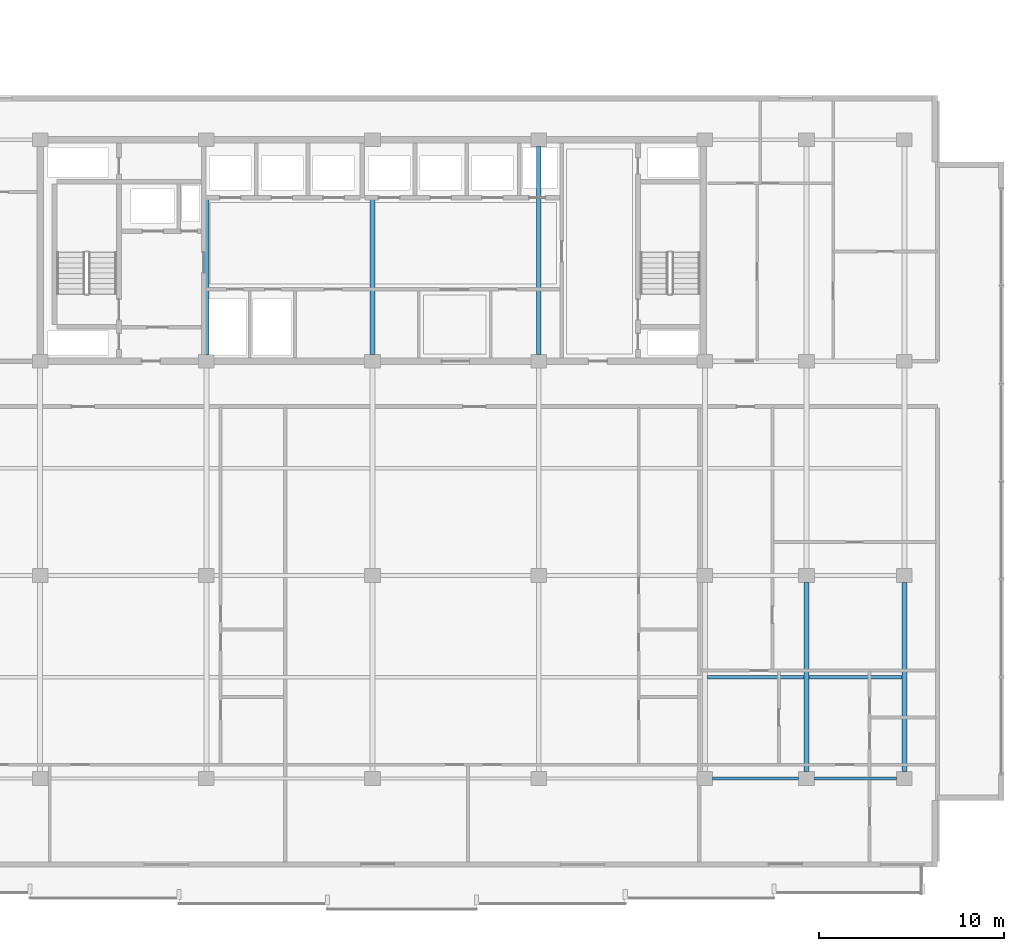
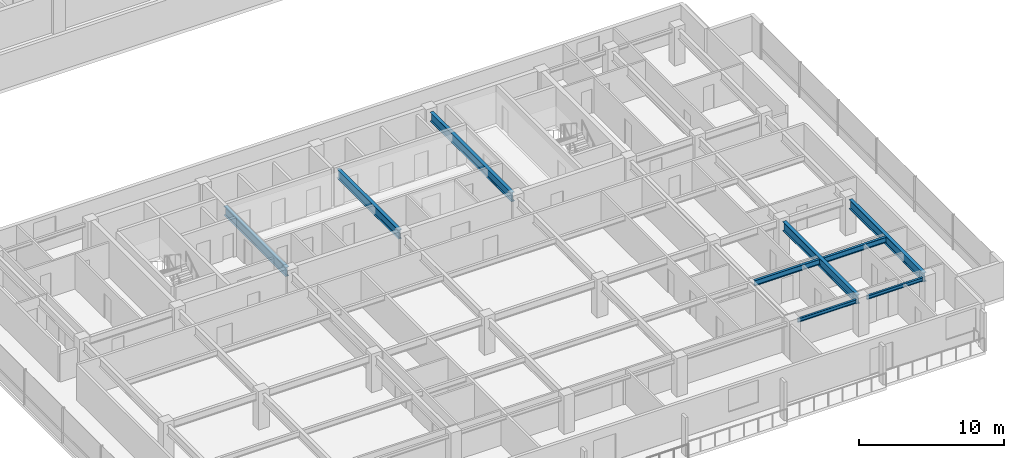
# One storey, part 6 of 38: 9 beams.
"""IFC4 building model written with IfcOpenShell, lengths in metres."""

from ifc_helpers import new_model, si_unit, direction, frame, origin, origin_2d, place, context, subcontext, project, spatial, i_section, extrude, material, material_profile, profile_set, type_object, element, save


model = new_model("IFC4")

# Units and contexts
model_context = context("Model", 3, precision=1e-05, world=origin(), true_north=direction((0.0, 1.0)))
body_context = subcontext(model_context, "Body", "Model", "MODEL_VIEW")
ifc_project = project(units=[si_unit("LENGTHUNIT", "METRE"), si_unit("AREAUNIT", "SQUARE_METRE"), si_unit("VOLUMEUNIT", "CUBIC_METRE"), si_unit("PLANEANGLEUNIT", "RADIAN"), si_unit("MASSUNIT", "GRAM", prefix="KILO")], contexts=[model_context])

# Site, building, storey
site_placement = place(None, origin())
site = spatial("IfcSite", under=ifc_project, at=site_placement, CompositionType="ELEMENT")
building_placement = place(site_placement, origin())
building = spatial("IfcBuilding", under=site, at=building_placement, Name="Korimba Cascade Residences", CompositionType="ELEMENT")
storey_placement = place(building_placement, frame((0.0, 0.0, 93.800048828125)))
storey = spatial("IfcBuildingStorey", under=building, at=storey_placement, Name="L26", CompositionType="ELEMENT", Elevation=93.800048828125)

# Beams
ifc_material = material(Name="Steel S355", Category="steel")
ifc_material_profile_1 = material_profile(ifc_material, i_section(OverallWidth=0.165771484375, OverallDepth=0.306640625, WebThickness=0.006591796875, FlangeThickness=0.01171875, FilletRadius=0.0087890625, at=origin_2d()), Name="Steel S355")
ifc_profile_set_1 = profile_set([ifc_material_profile_1], Name="Steel S355")
beam_type_1 = type_object("IfcBeamType", Name="BM-STL-UB305", PredefinedType="SPANDREL", material=ifc_profile_set_1)
beam_1_placement = place(storey_placement, frame((118.52490234375, -4.199951171875, 2.816650390625), z_axis=(1.0, 0.0, 0.0), x_axis=(0.0, 1.0, 0.0)))
element("IfcBeam", 1, at=beam_1_placement, inside=storey, type_object=beam_type_1, Name="L26 T2 E-W Girder Y1 Bay 6", PredefinedType="SPANDREL", context=body_context, shape_type="SweptSolid", body=[
    extrude(i_section(OverallWidth=0.165771484375, OverallDepth=0.306640625, WebThickness=0.006591796875, FlangeThickness=0.01171875, FilletRadius=0.0087890625, at=origin_2d()), origin(), (0.0, 0.0, 1.0), 4.650146484375),
])
beam_2_placement = place(storey_placement, frame((124.02490234375, -4.199951171875, 2.816650390625), z_axis=(1.0, 0.0, 0.0), x_axis=(0.0, 1.0, 0.0)))
element("IfcBeam", 2, at=beam_2_placement, inside=storey, type_object=beam_type_1, Name="L26 T2 E-W Girder Y1 Bay 7", PredefinedType="SPANDREL", context=body_context, shape_type="SweptSolid", body=[
    extrude(i_section(OverallWidth=0.165771484375, OverallDepth=0.306640625, WebThickness=0.006591796875, FlangeThickness=0.01171875, FilletRadius=0.0087890625, at=origin_2d()), origin(), (0.0, 0.0, 1.0), 4.4501953125),
])
ifc_material_profile_2 = material_profile(ifc_material, i_section(OverallWidth=0.19140625, OverallDepth=0.4599609375, WebThickness=0.010009765625, FlangeThickness=0.01611328125, FilletRadius=0.01025390625, at=origin_2d()), Name="Steel S355")
ifc_profile_set_2 = profile_set([ifc_material_profile_2], Name="Steel S355")
beam_type_2 = type_object("IfcBeamType", Name="BM-STL-UB457", PredefinedType="JOIST", material=ifc_profile_set_2)
beam_3_placement = place(storey_placement, frame((118.23388671875, 1.300048828125, 2.739990234375), z_axis=(1.0, 0.0, 0.0), x_axis=(0.0, 1.0, 0.0)))
element("IfcBeam", 3, at=beam_3_placement, inside=storey, type_object=beam_type_2, Name="L26 T2 Floor Joist 1.6", PredefinedType="JOIST", context=body_context, shape_type="SweptSolid", body=[
    extrude(i_section(OverallWidth=0.19140625, OverallDepth=0.4599609375, WebThickness=0.010009765625, FlangeThickness=0.01611328125, FilletRadius=0.01025390625, at=origin_2d()), origin(), (0.0, 0.0, 1.0), 5.232177734375),
])
beam_4_placement = place(storey_placement, frame((123.73388671875, 1.300048828125, 2.739990234375), z_axis=(1.0, 0.0, 0.0), x_axis=(0.0, 1.0, 0.0)))
element("IfcBeam", 4, at=beam_4_placement, inside=storey, type_object=beam_type_2, Name="L26 T2 Floor Joist 1.7", PredefinedType="JOIST", context=body_context, shape_type="SweptSolid", body=[
    extrude(i_section(OverallWidth=0.19140625, OverallDepth=0.4599609375, WebThickness=0.010009765625, FlangeThickness=0.01611328125, FilletRadius=0.01025390625, at=origin_2d()), origin(), (0.0, 0.0, 1.0), 5.0322265625),
])
ifc_material_profile_3 = material_profile(ifc_material, i_section(OverallWidth=0.26806640625, OverallDepth=0.769775390625, WebThickness=0.015625, FlangeThickness=0.025390625, FilletRadius=0.0166015625, at=origin_2d()), Name="Steel S355")
ifc_profile_set_3 = profile_set([ifc_material_profile_3], Name="Steel S355")
beam_type_3 = type_object("IfcBeamType", Name="BM-STL-UB762", PredefinedType="BEAM", material=ifc_profile_set_3)
for number, where, z_axis, x_axis, name in (
    (5, (91.10009765625, 18.77490234375, 2.5849609375), (0.0, 1.0, 0.0), (-1.0, 0.0, 0.0), "L26 T2 N-S Girder X3 Seg 3"),
    (6, (100.10009765625, 18.77490234375, 2.5849609375), (0.0, 1.0, 0.0), (-1.0, 0.0, 0.0), "L26 T2 N-S Girder X4 Seg 3"),
):
    element("IfcBeam", number, at=place(storey_placement, frame(where, z_axis=z_axis, x_axis=x_axis)), inside=storey, type_object=beam_type_3, Name=name, PredefinedType="BEAM", context=body_context, shape_type="SweptSolid", body=[
        extrude(i_section(OverallWidth=0.26806640625, OverallDepth=0.769775390625, WebThickness=0.015625, FlangeThickness=0.025390625, FilletRadius=0.0166015625, at=origin_2d()), origin(), (0.0, 0.0, 1.0), 8.565185546875),
    ])
beam_5_placement = place(storey_placement, frame((109.10009765625, 18.77490234375, 2.5849609375), z_axis=(0.0, 1.0, 0.0), x_axis=(-1.0, 0.0, 0.0)))
element("IfcBeam", 7, at=beam_5_placement, inside=storey, type_object=beam_type_3, Name="L26 T2 N-S Girder X5 Seg 3", PredefinedType="BEAM", context=body_context, shape_type="SweptSolid", body=[
    extrude(i_section(OverallWidth=0.26806640625, OverallDepth=0.769775390625, WebThickness=0.015625, FlangeThickness=0.025390625, FilletRadius=0.0166015625, at=origin_2d()), origin(), (0.0, 0.0, 1.0), 11.25),
])
for number, where, z_axis, x_axis, name in (
    (8, (123.60009765625, -3.824951171875, 2.5849609375), (0.0, 1.0, 0.0), (-1.0, 0.0, 0.0), "L26 T2 N-S Girder X7 Seg 1"),
    (9, (128.89990234375, -3.824951171875, 2.5849609375), (0.0, 1.0, 0.0), (-1.0, 0.0, 0.0), "L26 T2 N-S Girder X8 Seg 1"),
):
    element("IfcBeam", number, at=place(storey_placement, frame(where, z_axis=z_axis, x_axis=x_axis)), inside=storey, type_object=beam_type_3, Name=name, PredefinedType="BEAM", context=body_context, shape_type="SweptSolid", body=[
        extrude(i_section(OverallWidth=0.26806640625, OverallDepth=0.769775390625, WebThickness=0.015625, FlangeThickness=0.025390625, FilletRadius=0.0166015625, at=origin_2d()), origin(), (0.0, 0.0, 1.0), 10.25),
    ])

save(model, "model.ifc")
